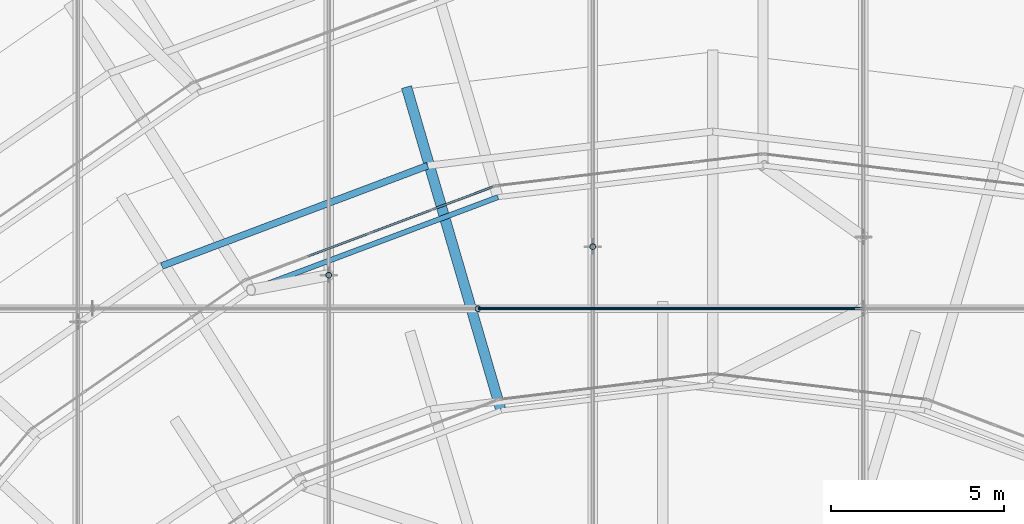
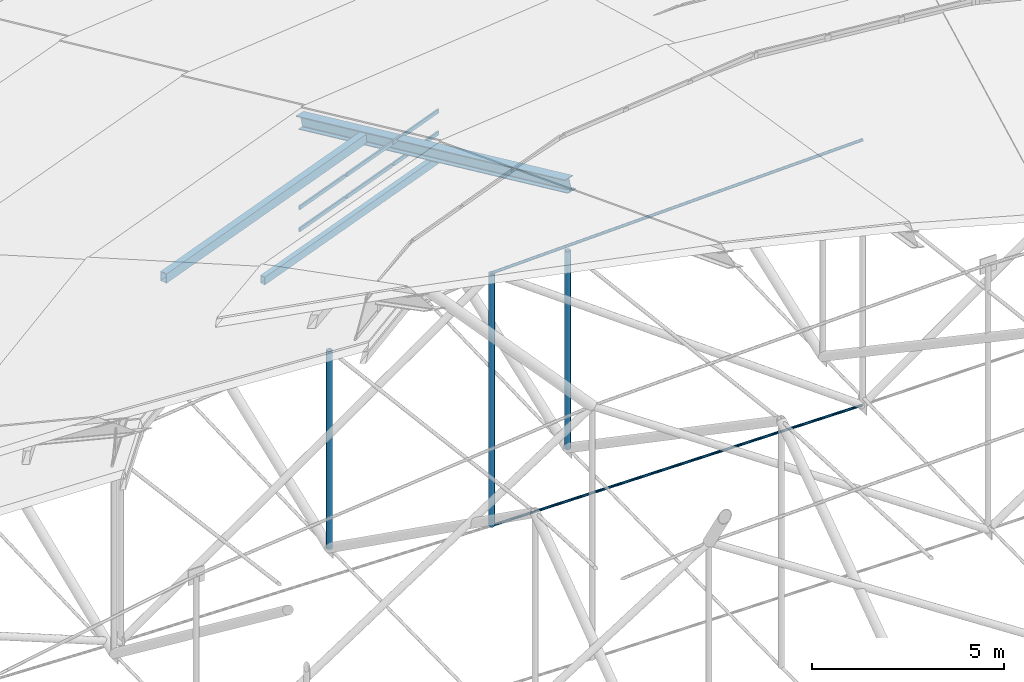
# One storey, part 107 of 173: 14 members, 1 element without a shape of its own.
"""IFC4 building model written with IfcOpenShell, lengths in metres."""

from ifc_helpers import new_model, si_unit, direction, frame, origin, origin_2d, place, context, subcontext, project, spatial, rectangle, hollow_rectangle, circle, hollow_circle, i_section, extrude, material, material_profile, profile_set, type_object, element, aggregate, save


model = new_model("IFC4")

# Units and contexts
model_context = context("Model", 3, precision=1e-05, world=origin(), true_north=direction((0.0, 1.0)))
body_context = subcontext(model_context, "Body", "Model", "MODEL_VIEW")
ifc_project = project(units=[si_unit("LENGTHUNIT", "METRE"), si_unit("AREAUNIT", "SQUARE_METRE"), si_unit("VOLUMEUNIT", "CUBIC_METRE"), si_unit("PLANEANGLEUNIT", "RADIAN"), si_unit("MASSUNIT", "GRAM", prefix="KILO")], contexts=[model_context])

# Site, building, storey
site_placement = place(None, origin())
site = spatial("IfcSite", under=ifc_project, at=site_placement, CompositionType="ELEMENT")
building_placement = place(site_placement, origin())
building = spatial("IfcBuilding", under=site, at=building_placement, Name="Glasvene Arena", CompositionType="ELEMENT")
storey_placement = place(building_placement, frame((0.0, 0.0, 28.800048828125)))
storey = spatial("IfcBuildingStorey", under=building, at=storey_placement, Name="RF", CompositionType="ELEMENT", Elevation=28.800048828125)

# Curtain wall, members
ifc_material_1 = material(Name="Low-emissivity laminated double glazing", Category="glass")
curtain_wall_type = type_object("IfcCurtainWallType", Name="CW-PET3-772x75", PredefinedType="USERDEFINED", material=ifc_material_1)
curtain_wall_placement = place(storey_placement, frame((81.348388671875, 96.97314453125, 0.0)))
curtain_wall = element("IfcCurtainWall", 1, at=curtain_wall_placement, inside=storey, type_object=curtain_wall_type, Name="Petal ring 3-4 clerestory curtain wall 08", ObjectType="CURTAIN WALL", PredefinedType="USERDEFINED")
ifc_material_2 = material(Name="Anodised architectural aluminium", Category="aluminium")
ifc_material_profile_1 = material_profile(ifc_material_2, rectangle(XDim=0.050048828125, YDim=0.1201171875, at=origin_2d()), Name="ALU TRANSOM 50x120")
ifc_profile_set_1 = profile_set([ifc_material_profile_1], Name="Anodised architectural aluminium")
member_type_1 = type_object("IfcMemberType", Name="CW-TRN-120", PredefinedType="USERDEFINED", material=ifc_profile_set_1)
member_1_placement = place(storey_placement, frame((81.301513671875, 96.95556640625, 7.85498046875), z_axis=(-0.935977011072, -0.352061123591, 0.0), x_axis=(0.352061123591, -0.935977011072, 0.0)))
member_1 = element("IfcMember", 2, at=member_1_placement, type_object=member_type_1, Name="CW-097 transom 1.1", ObjectType="TRANSOM", PredefinedType="USERDEFINED", context=body_context, shape_type="SweptSolid", body=[
    extrude(rectangle(XDim=0.050048828125, YDim=0.1201171875, at=origin_2d()), origin(), (0.0, 0.0, 1.0), 1.854248046875),
])
member_2_placement = place(storey_placement, frame((81.301513671875, 96.95556640625, 8.554931640625), z_axis=(-0.935977011072, -0.352061123591, 0.0), x_axis=(0.352061123591, -0.935977011072, 0.0)))
member_2 = element("IfcMember", 3, at=member_2_placement, type_object=member_type_1, Name="CW-097 transom 1.2", ObjectType="TRANSOM", PredefinedType="USERDEFINED", context=body_context, shape_type="SweptSolid", body=[
    extrude(rectangle(XDim=0.050048828125, YDim=0.1201171875, at=origin_2d()), origin(), (0.0, 0.0, 1.0), 1.854248046875),
])
member_3_placement = place(storey_placement, frame((79.51904296875, 96.28515625, 7.85498046875), z_axis=(-0.935938896958, -0.35216243576, 0.0), x_axis=(0.35216243576, -0.935938896958, 0.0)))
member_3 = element("IfcMember", 4, at=member_3_placement, type_object=member_type_1, Name="CW-097 transom 2.1", ObjectType="TRANSOM", PredefinedType="USERDEFINED", context=body_context, shape_type="SweptSolid", body=[
    extrude(rectangle(XDim=0.050048828125, YDim=0.1201171875, at=origin_2d()), origin(), (0.0, 0.0, 1.0), 1.87939453125),
])
member_4_placement = place(storey_placement, frame((79.51904296875, 96.28515625, 8.554931640625), z_axis=(-0.935938896958, -0.35216243576, 0.0), x_axis=(0.35216243576, -0.935938896958, 0.0)))
member_4 = element("IfcMember", 5, at=member_4_placement, type_object=member_type_1, Name="CW-097 transom 2.2", ObjectType="TRANSOM", PredefinedType="USERDEFINED", context=body_context, shape_type="SweptSolid", body=[
    extrude(rectangle(XDim=0.050048828125, YDim=0.1201171875, at=origin_2d()), origin(), (0.0, 0.0, 1.0), 1.87939453125),
])
member_5_placement = place(storey_placement, frame((77.71337890625, 95.605712890625, 7.85498046875), z_axis=(-0.935981707796, -0.352048636798, 0.0), x_axis=(0.352048636798, -0.935981707796, 0.0)))
member_5 = element("IfcMember", 6, at=member_5_placement, type_object=member_type_1, Name="CW-097 transom 3.1", ObjectType="TRANSOM", PredefinedType="USERDEFINED", context=body_context, shape_type="SweptSolid", body=[
    extrude(rectangle(XDim=0.050048828125, YDim=0.1201171875, at=origin_2d()), origin(), (0.0, 0.0, 1.0), 1.87939453125),
])
member_6_placement = place(storey_placement, frame((77.71337890625, 95.605712890625, 8.554931640625), z_axis=(-0.935981707796, -0.352048636798, 0.0), x_axis=(0.352048636798, -0.935981707796, 0.0)))
member_6 = element("IfcMember", 7, at=member_6_placement, type_object=member_type_1, Name="CW-097 transom 3.2", ObjectType="TRANSOM", PredefinedType="USERDEFINED", context=body_context, shape_type="SweptSolid", body=[
    extrude(rectangle(XDim=0.050048828125, YDim=0.1201171875, at=origin_2d()), origin(), (0.0, 0.0, 1.0), 1.87939453125),
])
aggregate(curtain_wall, [member_1, member_2, member_3, member_4, member_5, member_6])

# Members
ifc_material_3 = material(Name="High-strength steel spiral strand S460", Category="steel")
ifc_material_profile_2 = material_profile(ifc_material_3, circle(Radius=0.03759765625, at=origin_2d()), Name="LCSS D75")
ifc_profile_set_2 = profile_set([ifc_material_profile_2], Name="High-strength steel spiral strand S460")
member_type_2 = type_object("IfcMemberType", Name="MB-CABLE-75", PredefinedType="USERDEFINED", material=ifc_profile_set_2)
member_7_placement = place(storey_placement, frame((80.8623046875, 93.4296875, -2.328125), z_axis=(0.99997909309, 0.0, -0.006466326884), x_axis=(0.0, 1.0, 0.0)))
element("IfcMember", 8, at=member_7_placement, inside=storey, type_object=member_type_2, Name="Lower stabilization roof cable EW07-04", ObjectType="ROOF CABLE", PredefinedType="USERDEFINED", context=body_context, shape_type="SweptSolid", body=[
    extrude(circle(Radius=0.03759765625, at=origin_2d()), origin(), (0.0, 0.0, 1.0), 11.137939453125),
])
ifc_material_profile_3 = material_profile(ifc_material_3, circle(Radius=0.044921875, at=origin_2d()), Name="LCSS D90")
ifc_profile_set_3 = profile_set([ifc_material_profile_3], Name="High-strength steel spiral strand S460")
member_type_3 = type_object("IfcMemberType", Name="MB-CABLE-90", PredefinedType="USERDEFINED", material=ifc_profile_set_3)
member_8_placement = place(storey_placement, frame((80.8623046875, 93.4296875, 5.6904296875), z_axis=(0.999562435723, 0.0, 0.02957933556), x_axis=(0.0, 1.0, 0.0)))
element("IfcMember", 9, at=member_8_placement, inside=storey, type_object=member_type_3, Name="Upper lens roof cable EW07-04", ObjectType="ROOF CABLE", PredefinedType="USERDEFINED", context=body_context, shape_type="SweptSolid", body=[
    extrude(circle(Radius=0.044921875, at=origin_2d()), origin(), (0.0, 0.0, 1.0), 11.142578125),
])
ifc_material_4 = material(Name="Steel S355J2", Category="steel")
ifc_material_profile_4 = material_profile(ifc_material_4, i_section(OverallWidth=0.300048828125, OverallDepth=0.39990234375, WebThickness=0.013427734375, FlangeThickness=0.02392578125, FilletRadius=0.027099609375, at=origin_2d()), Name="HEB 400")
ifc_profile_set_4 = profile_set([ifc_material_profile_4], Name="Steel S355J2")
member_type_4 = type_object("IfcMemberType", Name="MB-CHORD-HEB400", PredefinedType="CHORD", material=ifc_profile_set_4)
member_9_placement = place(storey_placement, frame((78.811279296875, 99.783447265625, 7.39990234375), z_axis=(0.270648997105, -0.925789288004, 0.263938088543), x_axis=(0.959825045432, 0.280599148541, 0.0)))
element("IfcMember", 10, at=member_9_placement, inside=storey, type_object=member_type_4, Name="Petal ring 4 radial rib 08", PredefinedType="CHORD", context=body_context, shape_type="SweptSolid", body=[
    extrude(i_section(OverallWidth=0.300048828125, OverallDepth=0.39990234375, WebThickness=0.013427734375, FlangeThickness=0.02392578125, FilletRadius=0.027099609375, at=origin_2d()), origin(), (0.0, 0.0, 1.0), 10.040771484375),
])
ifc_material_profile_5 = material_profile(ifc_material_4, hollow_rectangle(XDim=0.14990234375, YDim=0.25, WallThickness=0.010009765625, at=origin_2d()), Name="RHS 250x150x10.0")
ifc_profile_set_5 = profile_set([ifc_material_profile_5], Name="Steel S355J2")
member_type_5 = type_object("IfcMemberType", Name="MB-PURLIN-RHS250", PredefinedType="PURLIN", material=ifc_profile_set_5)
member_10_placement = place(storey_placement, frame((81.43896484375, 96.6533203125, 7.431884765625), z_axis=(-0.936017035624, -0.3519546974, 0.0), x_axis=(0.3519546974, -0.936017035624, 0.0)))
element("IfcMember", 11, at=member_10_placement, inside=storey, type_object=member_type_5, Name="Petal ring 3 ridge purlin 08", PredefinedType="PURLIN", context=body_context, shape_type="SweptSolid", body=[
    extrude(hollow_rectangle(XDim=0.14990234375, YDim=0.25, WallThickness=0.010009765625, at=origin_2d()), origin(), (0.0, 0.0, 1.0), 7.626953125),
])
ifc_material_profile_6 = material_profile(ifc_material_4, hollow_rectangle(XDim=0.199951171875, YDim=0.300048828125, WallThickness=0.012451171875, at=origin_2d()), Name="RHS 300x200x12.5")
ifc_profile_set_6 = profile_set([ifc_material_profile_6], Name="Steel S355J2")
member_type_6 = type_object("IfcMemberType", Name="MB-PURLIN-RHS300", PredefinedType="PURLIN", material=ifc_profile_set_6)
member_11_placement = place(storey_placement, frame((79.406494140625, 97.561767578125, 8.00048828125), z_axis=(-0.935668797165, -0.352879444019, 0.0), x_axis=(0.352879444019, -0.935668797165, 0.0)))
element("IfcMember", 12, at=member_11_placement, inside=storey, type_object=member_type_6, Name="Petal ring 4 outer purlin 08", PredefinedType="PURLIN", context=body_context, shape_type="SweptSolid", body=[
    extrude(hollow_rectangle(XDim=0.199951171875, YDim=0.300048828125, WallThickness=0.012451171875, at=origin_2d()), origin(), (0.0, 0.0, 1.0), 8.20947265625),
])
ifc_material_profile_7 = material_profile(ifc_material_4, hollow_circle(Radius=0.084228515625, WallThickness=0.008056640625, at=origin_2d()), Name="CHS 168.3x8.0")
ifc_profile_set_7 = profile_set([ifc_material_profile_7], Name="Steel S355J2")
member_type_7 = type_object("IfcMemberType", Name="MB-WEB-CHS168", PredefinedType="BRACE", material=ifc_profile_set_7)
for number, where, z_axis, x_axis, name in (
    (13, (84.17822265625, 95.222900390625, -2.112548828125), (0.0, 0.0, 1.0), (1.0, 0.0, 0.0), "Cable-truss vertical strut NS06-06"),
    (14, (76.54931640625, 94.398681640625, -2.112548828125), (0.0, 0.0, 1.0), (1.0, 0.0, 0.0), "Cable-truss vertical strut NS07-06"),
):
    element("IfcMember", number, at=place(storey_placement, frame(where, z_axis=z_axis, x_axis=x_axis)), inside=storey, type_object=member_type_7, Name=name, PredefinedType="BRACE", context=body_context, shape_type="SweptSolid", body=[
        extrude(hollow_circle(Radius=0.084228515625, WallThickness=0.008056640625, at=origin_2d()), origin(), (0.0, 0.0, 1.0), 6.279541015625),
    ])
member_12_placement = place(storey_placement, frame((80.8623046875, 93.4296875, -2.328125), z_axis=(0.0, 0.0, 1.0), x_axis=(1.0, 0.0, 0.0)))
element("IfcMember", 15, at=member_12_placement, inside=storey, type_object=member_type_7, Name="Cable-truss vertical strut EW07-03", PredefinedType="BRACE", context=body_context, shape_type="SweptSolid", body=[
    extrude(hollow_circle(Radius=0.084228515625, WallThickness=0.008056640625, at=origin_2d()), origin(), (0.0, 0.0, 1.0), 8.0185546875),
])

save(model, "model.ifc")
